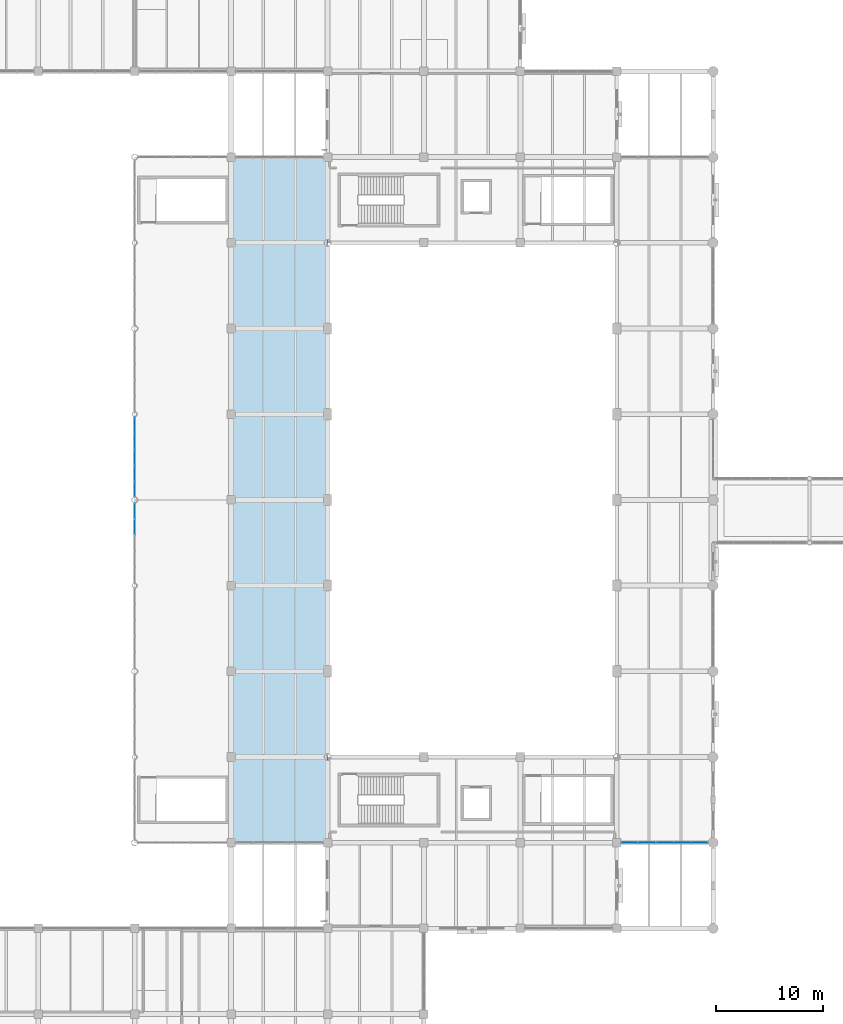
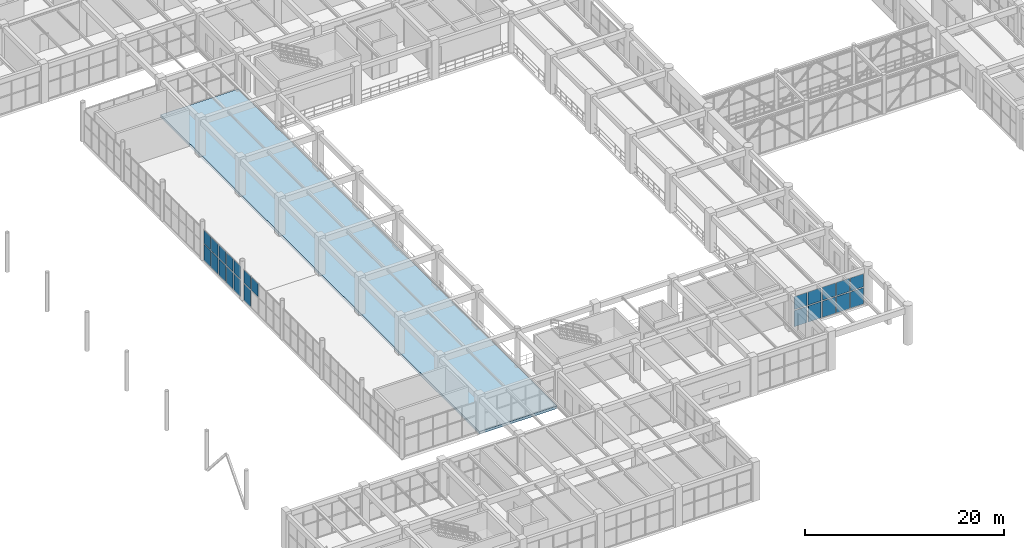
# One storey, part 141 of 178: 23 plates, 1 slab, 3 elements without a shape of their own.
"""IFC4 building model written with IfcOpenShell, lengths in metres."""

from ifc_helpers import new_model, si_unit, derived_unit, direction, frame, origin, origin_2d, place, context, subcontext, project, spatial, polyline, rectangle, outline, extrude, material, layer, layer_set, type_object, element, aggregate, save


model = new_model("IFC4")

# Units and contexts
model_context = context("Model", 3, precision=1e-05, world=origin(), true_north=direction((0.0, 1.0)))
body_context = subcontext(model_context, "Body", "Model", "MODEL_VIEW")
ifc_project = project(units=[si_unit("LENGTHUNIT", "METRE"), si_unit("AREAUNIT", "SQUARE_METRE"), si_unit("VOLUMEUNIT", "CUBIC_METRE"), si_unit("PLANEANGLEUNIT", "RADIAN"), si_unit("MASSUNIT", "GRAM", prefix="KILO"), derived_unit("THERMALTRANSMITTANCEUNIT", [(si_unit("MASSUNIT", "GRAM", prefix="KILO"), 1), (si_unit("TIMEUNIT", "SECOND"), -3), (si_unit("THERMODYNAMICTEMPERATUREUNIT", "KELVIN"), -1)])], contexts=[model_context])

# Site, building, storey
site_placement = place(None, origin())
site = spatial("IfcSite", under=ifc_project, at=site_placement, CompositionType="ELEMENT")
building_placement = place(site_placement, origin())
building = spatial("IfcBuilding", under=site, at=building_placement, Name="Zhenchuan Archway Interchange", CompositionType="ELEMENT")
storey_placement = place(building_placement, frame((0.0, 0.0, 5.39990234375)))
storey = spatial("IfcBuildingStorey", under=building, at=storey_placement, Name="L01", CompositionType="ELEMENT", Elevation=5.39990234375)

# Curtain wall, plate
ifc_material_1 = material(Name="Anodised Aluminium", Category="aluminium")
curtain_wall_type_1 = type_object("IfcCurtainWallType", Name="CW_UNIT_1", PredefinedType="NOTDEFINED", material=ifc_material_1)
curtain_wall_1_placement = place(storey_placement, origin())
curtain_wall_1 = element("IfcCurtainWall", 1, at=curtain_wall_1_placement, inside=storey, type_object=curtain_wall_type_1, Name="Unitised curtain wall CW:L01:032", PredefinedType="NOTDEFINED")
ifc_material_2 = material(Name="Double Low-E Insulated Glazing", Category="glass")
ifc_layer_1 = layer(ifc_material_2, 0.028076171875)
ifc_layer_set_1 = layer_set([ifc_layer_1], Name="Double Low-E Insulated Glazing")
plate_type_1 = type_object("IfcPlateType", Name="CW_GLZ_1", PredefinedType="CURTAIN_PANEL", material=ifc_layer_set_1)
plate_1_placement = place(storey_placement, frame((18.0, 54.98779296875, 0.080078125), z_axis=(0.0, 0.0, 1.0), x_axis=(0.0, 1.0, 0.0)))
plate_1 = element("IfcPlate", 2, at=plate_1_placement, type_object=plate_type_1, Name="CW:L01:032 lower glazing panel 4", PredefinedType="CURTAIN_PANEL", context=body_context, shape_type="SweptSolid", body=[
    extrude(rectangle(XDim=1.3515625, YDim=0.028076171875, at=origin_2d()), origin(), (0.0, 0.0, 1.0), 1.98291015625),
])

# Curtain wall, plates
curtain_wall_type_2 = type_object("IfcCurtainWallType", Name="CW_UNIT_2", PredefinedType="NOTDEFINED", material=ifc_material_1)
curtain_wall_2_placement = place(storey_placement, origin())
curtain_wall_2 = element("IfcCurtainWall", 3, at=curtain_wall_2_placement, inside=storey, type_object=curtain_wall_type_2, Name="Unitised curtain wall CW:L01:033", PredefinedType="NOTDEFINED")
plate_2_placement = place(storey_placement, frame((18.0, 57.01220703125, 0.080078125), z_axis=(0.0, 0.0, 1.0), x_axis=(0.0, 1.0, 0.0)))
plate_2 = element("IfcPlate", 4, at=plate_2_placement, type_object=plate_type_1, Name="CW:L01:033 lower glazing panel 0", PredefinedType="CURTAIN_PANEL", context=body_context, shape_type="SweptSolid", body=[
    extrude(rectangle(XDim=1.3515625, YDim=0.028076171875, at=origin_2d()), origin(), (0.0, 0.0, 1.0), 1.98291015625),
])
plate_3_placement = place(storey_placement, frame((18.0, 58.513916015625, 0.080078125), z_axis=(0.0, 0.0, 1.0), x_axis=(0.0, 1.0, 0.0)))
plate_3 = element("IfcPlate", 5, at=plate_3_placement, type_object=plate_type_1, Name="CW:L01:033 lower glazing panel 1", PredefinedType="CURTAIN_PANEL", context=body_context, shape_type="SweptSolid", body=[
    extrude(rectangle(XDim=1.37158203125, YDim=0.028076171875, at=origin_2d()), origin(), (0.0, 0.0, 1.0), 1.98291015625),
])
plate_4_placement = place(storey_placement, frame((18.0, 60.025390625, 0.080078125), z_axis=(0.0, 0.0, 1.0), x_axis=(0.0, 1.0, 0.0)))
plate_4 = element("IfcPlate", 6, at=plate_4_placement, type_object=plate_type_1, Name="CW:L01:033 lower glazing panel 2", PredefinedType="CURTAIN_PANEL", context=body_context, shape_type="SweptSolid", body=[
    extrude(rectangle(XDim=1.37158203125, YDim=0.028076171875, at=origin_2d()), origin(), (0.0, 0.0, 1.0), 1.98291015625),
])
plate_5_placement = place(storey_placement, frame((18.0, 61.537109375, 0.080078125), z_axis=(0.0, 0.0, 1.0), x_axis=(0.0, 1.0, 0.0)))
plate_5 = element("IfcPlate", 7, at=plate_5_placement, type_object=plate_type_1, Name="CW:L01:033 lower glazing panel 3", PredefinedType="CURTAIN_PANEL", context=body_context, shape_type="SweptSolid", body=[
    extrude(rectangle(XDim=1.37158203125, YDim=0.028076171875, at=origin_2d()), origin(), (0.0, 0.0, 1.0), 1.98291015625),
])
plate_6_placement = place(storey_placement, frame((18.0, 63.038818359375, 0.080078125), z_axis=(0.0, 0.0, 1.0), x_axis=(0.0, 1.0, 0.0)))
plate_6 = element("IfcPlate", 8, at=plate_6_placement, type_object=plate_type_1, Name="CW:L01:033 lower glazing panel 4", PredefinedType="CURTAIN_PANEL", context=body_context, shape_type="SweptSolid", body=[
    extrude(rectangle(XDim=1.3515625, YDim=0.028076171875, at=origin_2d()), origin(), (0.0, 0.0, 1.0), 1.98291015625),
])

curtain_wall_type_3 = type_object("IfcCurtainWallType", Name="CW_UNIT_4", PredefinedType="NOTDEFINED", material=ifc_material_1)
curtain_wall_3_placement = place(storey_placement, origin())
curtain_wall_3 = element("IfcCurtainWall", 9, at=curtain_wall_3_placement, inside=storey, type_object=curtain_wall_type_3, Name="Unitised curtain wall CW:L01:079", PredefinedType="NOTDEFINED")
plate_7_placement = place(storey_placement, frame((70.72900390625, 24.0, 0.080078125), z_axis=(0.0, 0.0, 1.0), x_axis=(-1.0, 0.0, 0.0)))
plate_7 = element("IfcPlate", 10, at=plate_7_placement, type_object=plate_type_1, Name="CW:L01:079 lower glazing panel 0", PredefinedType="CURTAIN_PANEL", context=body_context, shape_type="SweptSolid", body=[
    extrude(rectangle(XDim=1.47802734375, YDim=0.028076171875, at=origin_2d()), origin(), (0.0, 0.0, 1.0), 1.98291015625),
])
plate_8_placement = place(storey_placement, frame((69.10107421875, 24.0, 0.080078125), z_axis=(0.0, 0.0, 1.0), x_axis=(-1.0, 0.0, 0.0)))
plate_8 = element("IfcPlate", 11, at=plate_8_placement, type_object=plate_type_1, Name="CW:L01:079 lower glazing panel 1", PredefinedType="CURTAIN_PANEL", context=body_context, shape_type="SweptSolid", body=[
    extrude(rectangle(XDim=1.498046875, YDim=0.028076171875, at=origin_2d()), origin(), (0.0, 0.0, 1.0), 1.98291015625),
])
plate_9_placement = place(storey_placement, frame((67.462890625, 24.0, 0.080078125), z_axis=(0.0, 0.0, 1.0), x_axis=(-1.0, 0.0, 0.0)))
plate_9 = element("IfcPlate", 12, at=plate_9_placement, type_object=plate_type_1, Name="CW:L01:079 lower glazing panel 2", PredefinedType="CURTAIN_PANEL", context=body_context, shape_type="SweptSolid", body=[
    extrude(rectangle(XDim=1.498046875, YDim=0.028076171875, at=origin_2d()), origin(), (0.0, 0.0, 1.0), 1.98291015625),
])
plate_10_placement = place(storey_placement, frame((65.824951171875, 24.0, 0.080078125), z_axis=(0.0, 0.0, 1.0), x_axis=(-1.0, 0.0, 0.0)))
plate_10 = element("IfcPlate", 13, at=plate_10_placement, type_object=plate_type_1, Name="CW:L01:079 lower glazing panel 3", PredefinedType="CURTAIN_PANEL", context=body_context, shape_type="SweptSolid", body=[
    extrude(rectangle(XDim=1.498046875, YDim=0.028076171875, at=origin_2d()), origin(), (0.0, 0.0, 1.0), 1.98291015625),
])
plate_11_placement = place(storey_placement, frame((64.197021484375, 24.0, 0.080078125), z_axis=(0.0, 0.0, 1.0), x_axis=(-1.0, 0.0, 0.0)))
plate_11 = element("IfcPlate", 14, at=plate_11_placement, type_object=plate_type_1, Name="CW:L01:079 lower glazing panel 4", PredefinedType="CURTAIN_PANEL", context=body_context, shape_type="SweptSolid", body=[
    extrude(rectangle(XDim=1.47802734375, YDim=0.028076171875, at=origin_2d()), origin(), (0.0, 0.0, 1.0), 1.98291015625),
])

# Plate
ifc_layer_2 = layer(ifc_material_2, 0.02587890625)
ifc_layer_set_2 = layer_set([ifc_layer_2], Name="Double Low-E Insulated Glazing")
plate_type_2 = type_object("IfcPlateType", Name="CW_GLZ_2", PredefinedType="CURTAIN_PANEL", material=ifc_layer_set_2)
plate_12_placement = place(storey_placement, frame((18.0, 53.486083984375, 2.18310546875), z_axis=(0.0, 0.0, 1.0), x_axis=(0.0, 1.0, 0.0)))
plate_12 = element("IfcPlate", 15, at=plate_12_placement, type_object=plate_type_2, Name="CW:L01:032 upper glazing panel 3", PredefinedType="CURTAIN_PANEL", context=body_context, shape_type="SweptSolid", body=[
    extrude(rectangle(XDim=1.37158203125, YDim=0.02587890625, at=origin_2d()), origin(), (0.0, 0.0, 1.0), 1.596923828125),
])

plate_13_placement = place(storey_placement, frame((18.0, 54.98779296875, 2.18310546875), z_axis=(0.0, 0.0, 1.0), x_axis=(0.0, 1.0, 0.0)))
plate_13 = element("IfcPlate", 16, at=plate_13_placement, type_object=plate_type_2, Name="CW:L01:032 upper glazing panel 4", PredefinedType="CURTAIN_PANEL", context=body_context, shape_type="SweptSolid", body=[
    extrude(rectangle(XDim=1.3515625, YDim=0.02587890625, at=origin_2d()), origin(), (0.0, 0.0, 1.0), 1.596923828125),
])

aggregate(curtain_wall_1, [plate_12, plate_1, plate_13])

plate_14_placement = place(storey_placement, frame((18.0, 57.01220703125, 2.18310546875), z_axis=(0.0, 0.0, 1.0), x_axis=(0.0, 1.0, 0.0)))
plate_14 = element("IfcPlate", 17, at=plate_14_placement, type_object=plate_type_2, Name="CW:L01:033 upper glazing panel 0", PredefinedType="CURTAIN_PANEL", context=body_context, shape_type="SweptSolid", body=[
    extrude(rectangle(XDim=1.3515625, YDim=0.02587890625, at=origin_2d()), origin(), (0.0, 0.0, 1.0), 1.596923828125),
])

plate_15_placement = place(storey_placement, frame((18.0, 58.513916015625, 2.18310546875), z_axis=(0.0, 0.0, 1.0), x_axis=(0.0, 1.0, 0.0)))
plate_15 = element("IfcPlate", 18, at=plate_15_placement, type_object=plate_type_2, Name="CW:L01:033 upper glazing panel 1", PredefinedType="CURTAIN_PANEL", context=body_context, shape_type="SweptSolid", body=[
    extrude(rectangle(XDim=1.37158203125, YDim=0.02587890625, at=origin_2d()), origin(), (0.0, 0.0, 1.0), 1.596923828125),
])

plate_16_placement = place(storey_placement, frame((18.0, 60.025390625, 2.18310546875), z_axis=(0.0, 0.0, 1.0), x_axis=(0.0, 1.0, 0.0)))
plate_16 = element("IfcPlate", 19, at=plate_16_placement, type_object=plate_type_2, Name="CW:L01:033 upper glazing panel 2", PredefinedType="CURTAIN_PANEL", context=body_context, shape_type="SweptSolid", body=[
    extrude(rectangle(XDim=1.37158203125, YDim=0.02587890625, at=origin_2d()), origin(), (0.0, 0.0, 1.0), 1.596923828125),
])

plate_17_placement = place(storey_placement, frame((18.0, 61.537109375, 2.18310546875), z_axis=(0.0, 0.0, 1.0), x_axis=(0.0, 1.0, 0.0)))
plate_17 = element("IfcPlate", 20, at=plate_17_placement, type_object=plate_type_2, Name="CW:L01:033 upper glazing panel 3", PredefinedType="CURTAIN_PANEL", context=body_context, shape_type="SweptSolid", body=[
    extrude(rectangle(XDim=1.37158203125, YDim=0.02587890625, at=origin_2d()), origin(), (0.0, 0.0, 1.0), 1.596923828125),
])

plate_18_placement = place(storey_placement, frame((18.0, 63.038818359375, 2.18310546875), z_axis=(0.0, 0.0, 1.0), x_axis=(0.0, 1.0, 0.0)))
plate_18 = element("IfcPlate", 21, at=plate_18_placement, type_object=plate_type_2, Name="CW:L01:033 upper glazing panel 4", PredefinedType="CURTAIN_PANEL", context=body_context, shape_type="SweptSolid", body=[
    extrude(rectangle(XDim=1.3515625, YDim=0.02587890625, at=origin_2d()), origin(), (0.0, 0.0, 1.0), 1.596923828125),
])

aggregate(curtain_wall_2, [plate_2, plate_14, plate_3, plate_15, plate_4, plate_16, plate_5, plate_17, plate_6, plate_18])

plate_19_placement = place(storey_placement, frame((70.72900390625, 24.0, 2.18310546875), z_axis=(0.0, 0.0, 1.0), x_axis=(-1.0, 0.0, 0.0)))
plate_19 = element("IfcPlate", 22, at=plate_19_placement, type_object=plate_type_2, Name="CW:L01:079 upper glazing panel 0", PredefinedType="CURTAIN_PANEL", context=body_context, shape_type="SweptSolid", body=[
    extrude(rectangle(XDim=1.47802734375, YDim=0.02587890625, at=origin_2d()), origin(), (0.0, 0.0, 1.0), 1.596923828125),
])

plate_20_placement = place(storey_placement, frame((69.10107421875, 24.0, 2.18310546875), z_axis=(0.0, 0.0, 1.0), x_axis=(-1.0, 0.0, 0.0)))
plate_20 = element("IfcPlate", 23, at=plate_20_placement, type_object=plate_type_2, Name="CW:L01:079 upper glazing panel 1", PredefinedType="CURTAIN_PANEL", context=body_context, shape_type="SweptSolid", body=[
    extrude(rectangle(XDim=1.498046875, YDim=0.02587890625, at=origin_2d()), origin(), (0.0, 0.0, 1.0), 1.596923828125),
])

plate_21_placement = place(storey_placement, frame((67.462890625, 24.0, 2.18310546875), z_axis=(0.0, 0.0, 1.0), x_axis=(-1.0, 0.0, 0.0)))
plate_21 = element("IfcPlate", 24, at=plate_21_placement, type_object=plate_type_2, Name="CW:L01:079 upper glazing panel 2", PredefinedType="CURTAIN_PANEL", context=body_context, shape_type="SweptSolid", body=[
    extrude(rectangle(XDim=1.498046875, YDim=0.02587890625, at=origin_2d()), origin(), (0.0, 0.0, 1.0), 1.596923828125),
])

plate_22_placement = place(storey_placement, frame((65.824951171875, 24.0, 2.18310546875), z_axis=(0.0, 0.0, 1.0), x_axis=(-1.0, 0.0, 0.0)))
plate_22 = element("IfcPlate", 25, at=plate_22_placement, type_object=plate_type_2, Name="CW:L01:079 upper glazing panel 3", PredefinedType="CURTAIN_PANEL", context=body_context, shape_type="SweptSolid", body=[
    extrude(rectangle(XDim=1.498046875, YDim=0.02587890625, at=origin_2d()), origin(), (0.0, 0.0, 1.0), 1.596923828125),
])

plate_23_placement = place(storey_placement, frame((64.197021484375, 24.0, 2.18310546875), z_axis=(0.0, 0.0, 1.0), x_axis=(-1.0, 0.0, 0.0)))
plate_23 = element("IfcPlate", 26, at=plate_23_placement, type_object=plate_type_2, Name="CW:L01:079 upper glazing panel 4", PredefinedType="CURTAIN_PANEL", context=body_context, shape_type="SweptSolid", body=[
    extrude(rectangle(XDim=1.47802734375, YDim=0.02587890625, at=origin_2d()), origin(), (0.0, 0.0, 1.0), 1.596923828125),
])

aggregate(curtain_wall_3, [plate_7, plate_19, plate_8, plate_20, plate_9, plate_21, plate_10, plate_22, plate_11, plate_23])

# Slab
ifc_material_3 = material(Name="Concrete C40", Category="concrete")
ifc_layer_3 = layer(ifc_material_3, 0.320068359375)
ifc_layer_set_3 = layer_set([ifc_layer_3], Name="Concrete C40")
slab_type = type_object("IfcSlabType", Name="SLB_FLR_320", PredefinedType="FLOOR", material=ifc_layer_set_3)
slab_placement = place(storey_placement, frame((0.0, 0.0, -0.31982421875)))
element("IfcSlab", 27, at=slab_placement, inside=storey, type_object=slab_type, Name="Structural slab L01 CH-W", PredefinedType="FLOOR", context=body_context, shape_type="SweptSolid", body=[
    extrude(outline(polyline([(36.0, 24.0), (27.0, 24.0), (27.0, 88.0), (36.0, 88.0), (36.0, 24.0)])), origin(), (0.0, 0.0, 1.0), 0.31982421875),
])

save(model, "model.ifc")
